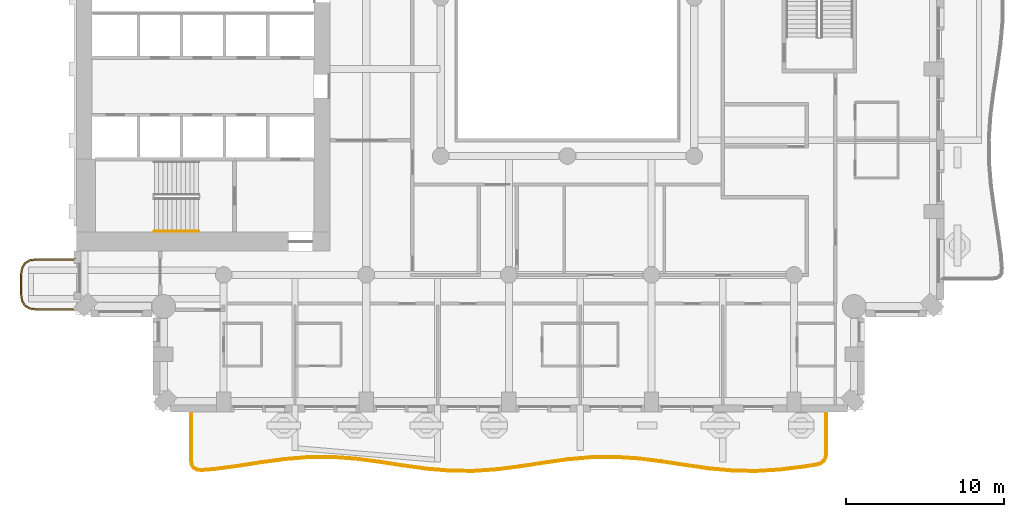
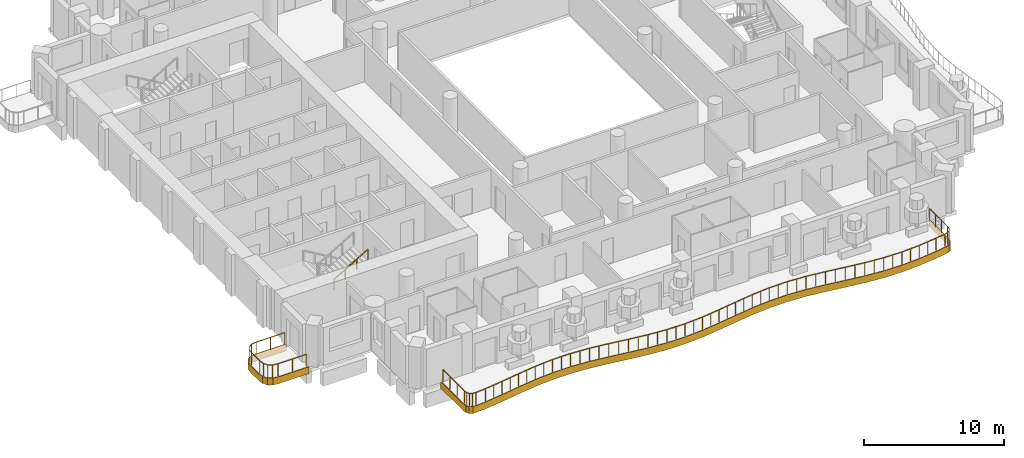
# One storey, part 13 of 20: 3 railings, 2 coverings.
"""IFC4 building model written with IfcOpenShell, lengths in metres."""

from ifc_helpers import new_model, si_unit, direction, frame, origin, origin_2d, place, context, subcontext, project, spatial, polyline, rectangle, outline, extrude, material, layer, layer_set, type_object, element, save


model = new_model("IFC4")

# Units and contexts
model_context = context("Model", 3, precision=1e-05, world=origin(), true_north=direction((0.0, 1.0)))
body_context = subcontext(model_context, "Body", "Model", "MODEL_VIEW")
ifc_project = project(units=[si_unit("LENGTHUNIT", "METRE"), si_unit("AREAUNIT", "SQUARE_METRE"), si_unit("VOLUMEUNIT", "CUBIC_METRE"), si_unit("PLANEANGLEUNIT", "RADIAN"), si_unit("MASSUNIT", "GRAM", prefix="KILO")], contexts=[model_context])

# Site, building, storey
site_placement = place(None, origin())
site = spatial("IfcSite", under=ifc_project, at=site_placement, CompositionType="ELEMENT")
building_placement = place(site_placement, origin())
building = spatial("IfcBuilding", under=site, at=building_placement, Name="Cypress Arch Tower", CompositionType="ELEMENT")
storey_placement = place(building_placement, frame((0.0, 0.0, 120.300048828125)))
storey = spatial("IfcBuildingStorey", under=building, at=storey_placement, Name="L25", CompositionType="ELEMENT", Elevation=120.300048828125)

# Coverings
ifc_material_1 = material(Name="White powder-coated aluminium fascia", Category="aluminium")
ifc_layer = layer(ifc_material_1, 0.050048828125)
ifc_layer_set = layer_set([ifc_layer], Name="Balcony fascia BF50")
covering_type = type_object("IfcCoveringType", Name="Balcony fascia BF50", PredefinedType="CLADDING", material=ifc_layer_set)
covering_1_placement = place(storey_placement, frame((0.0, 0.0, -0.60009765625)))
element("IfcCovering", 1, at=covering_1_placement, inside=storey, type_object=covering_type, Name="Balcony fascia L25-A00W1", PredefinedType="CLADDING", context=body_context, shape_type="SweptSolid", body=[
    extrude(outline(polyline([(-32.503662109375, -19.75), (-32.95458984375, -19.685546875), (-33.286376953125, -19.486328125), (-33.485595703125, -19.154541015625), (-33.550048828125, -18.70361328125), (-33.550048828125, -17.496337890625), (-33.485595703125, -17.04541015625), (-33.286376953125, -16.713623046875), (-32.95458984375, -16.514404296875), (-32.503662109375, -16.449951171875), (-30.0009765625, -16.449951171875), (-30.0009765625, -16.5), (-32.5, -16.5), (-32.9375, -16.5625), (-33.25, -16.75), (-33.4375, -17.0625), (-33.5, -17.5), (-33.5, -18.699951171875), (-33.4375, -19.137451171875), (-33.25, -19.449951171875), (-32.9375, -19.637451171875), (-32.5, -19.699951171875), (-30.0009765625, -19.699951171875), (-30.0009765625, -19.75), (-32.503662109375, -19.75)])), origin(), (0.0, 0.0, 1.0), 0.60009765625),
])
covering_2_placement = place(storey_placement, frame((0.0, 0.0, -0.60009765625)))
element("IfcCovering", 2, at=covering_2_placement, inside=storey, type_object=covering_type, Name="Balcony fascia L25-A03", PredefinedType="CLADDING", context=body_context, shape_type="SweptSolid", body=[
    extrude(outline(polyline([(17.39990234375, -28.722412109375), (17.3564453125, -29.037109375), (17.2216796875, -29.28515625), (16.9970703125, -29.4560546875), (16.692626953125, -29.546875), (15.87158203125, -29.67333984375), (14.38427734375, -29.8564453125), (12.8955078125, -29.94580078125), (11.406494140625, -29.917724609375), (9.918212890625, -29.77978515625), (8.431640625, -29.568115234375), (6.94677734375, -29.3388671875), (5.4638671875, -29.15185546875), (3.982177734375, -29.056396484375), (2.500732421875, -29.0771484375), (1.0185546875, -29.208984375), (-0.46484375, -29.4169921875), (-1.950439453125, -29.647216796875), (-3.437744140625, -29.838623046875), (-4.92626953125, -29.941162109375), (-6.415283203125, -29.92724609375), (-7.90380859375, -29.801025390625), (-9.390625, -29.595703125), (-10.875732421875, -29.365234375), (-12.35888671875, -29.170166015625), (-13.840576171875, -29.06201171875), (-15.322021484375, -29.068359375), (-16.803955078125, -29.188232421875), (-18.287353515625, -29.3896484375), (-19.7724609375, -29.620361328125), (-21.259521484375, -29.819580078125), (-22.081298828125, -29.883056640625), (-22.387939453125, -29.86279296875), (-22.6181640625, -29.7421875), (-22.756103515625, -29.52197265625), (-22.800048828125, -29.218017578125), (-22.800048828125, -26.0009765625), (-22.75, -26.0009765625), (-22.75, -29.21435546875), (-22.708251953125, -29.50439453125), (-22.5830078125, -29.7041015625), (-22.3740234375, -29.813720703125), (-22.081787109375, -29.8330078125), (-21.264892578125, -29.769775390625), (-19.779541015625, -29.571044921875), (-18.29443359375, -29.34033203125), (-16.809326171875, -29.138427734375), (-15.323974609375, -29.0185546875), (-13.8388671875, -29.011962890625), (-12.353759765625, -29.12060546875), (-10.868408203125, -29.315673828125), (-9.38330078125, -29.546142578125), (-7.898193359375, -29.751220703125), (-6.412841796875, -29.87744140625), (-4.927734375, -29.89111328125), (-3.442626953125, -29.788818359375), (-1.95751953125, -29.59765625), (-0.47216796875, -29.36767578125), (1.012939453125, -29.1591796875), (2.498046875, -29.02734375), (3.9833984375, -29.00634765625), (5.468505859375, -29.10205078125), (6.95361328125, -29.289306640625), (8.43896484375, -29.5185546875), (9.924072265625, -29.72998046875), (11.4091796875, -29.86767578125), (12.89453125, -29.895751953125), (14.379638671875, -29.806640625), (15.86474609375, -29.623779296875), (16.681640625, -29.498046875), (16.97412109375, -29.41064453125), (17.182861328125, -29.251708984375), (17.308349609375, -29.021240234375), (17.35009765625, -28.718994140625), (17.35009765625, -26.0009765625), (17.39990234375, -26.0009765625), (17.39990234375, -28.722412109375)])), origin(), (0.0, 0.0, 1.0), 0.60009765625),
])

# Railings
ifc_material_2 = material(Name="Powder-coated steel posts and rods, 100 mm clear between rods", Category="steel")
railing_type_1 = type_object("IfcRailingType", Name="Balcony guard GR1100", PredefinedType="GUARDRAIL", material=ifc_material_2)
railing_1_placement = place(storey_placement, frame((-30.14990234375, -19.64990234375, 0.0)))
element("IfcRailing", 3, at=railing_1_placement, inside=storey, type_object=railing_type_1, Name="Balcony guard L25-A00W1", PredefinedType="GUARDRAIL", context=body_context, shape_type="SweptSolid", body=[
    extrude(rectangle(XDim=0.050048828125, YDim=0.050048828125, at=origin_2d()), frame((0.0, 0.0, 1.0751953125), z_axis=(-1.0, 0.0, 0.0), x_axis=(0.0, -1.0, 0.0)), (0.0, 0.0, 1.0), 2.346435546875),
    extrude(rectangle(XDim=0.050048828125, YDim=0.050048828125, at=origin_2d()), frame((-2.346435546875, 0.0, 1.0751953125), z_axis=(-0.989960888959, 0.141341566184, 0.0), x_axis=(-0.141341566184, -0.989960888959, 0.0)), (0.0, 0.0, 1.0), 0.428466796875),
    extrude(rectangle(XDim=0.050048828125, YDim=0.050048828125, at=origin_2d()), frame((-2.7705078125, 0.060546875, 1.0751953125), z_axis=(-0.857681904839, 0.514180659021, 0.0), x_axis=(-0.514180659021, -0.857681904839, 0.0)), (0.0, 0.0, 1.0), 0.341796875),
    extrude(rectangle(XDim=0.050048828125, YDim=0.050048828125, at=origin_2d()), frame((-3.063720703125, 0.236328125, 1.0751953125), z_axis=(-0.514180659021, 0.857681904839, 0.0), x_axis=(-0.857681904839, -0.514180659021, 0.0)), (0.0, 0.0, 1.0), 0.341796875),
    extrude(rectangle(XDim=0.050048828125, YDim=0.050048828125, at=origin_2d()), frame((-3.239501953125, 0.529541015625, 1.0751953125), z_axis=(-0.141421356237, 0.989949493661, 0.0), x_axis=(-0.989949493661, -0.141421356237, 0.0)), (0.0, 0.0, 1.0), 0.42822265625),
    extrude(rectangle(XDim=0.050048828125, YDim=0.050048828125, at=origin_2d()), frame((-3.300048828125, 0.953369140625, 1.0751953125), z_axis=(0.0, 1.0, 0.0), x_axis=(-1.0, 0.0, 0.0)), (0.0, 0.0, 1.0), 1.19287109375),
    extrude(rectangle(XDim=0.050048828125, YDim=0.050048828125, at=origin_2d()), frame((-3.300048828125, 2.146240234375, 1.0751953125), z_axis=(0.141341566184, 0.989960888959, 0.0), x_axis=(-0.989960888959, 0.141341566184, 0.0)), (0.0, 0.0, 1.0), 0.428466796875),
    extrude(rectangle(XDim=0.050048828125, YDim=0.050048828125, at=origin_2d()), frame((-3.239501953125, 2.5703125, 1.0751953125), z_axis=(0.514180659021, 0.857681904839, 0.0), x_axis=(-0.857681904839, 0.514180659021, 0.0)), (0.0, 0.0, 1.0), 0.341796875),
    extrude(rectangle(XDim=0.050048828125, YDim=0.050048828125, at=origin_2d()), frame((-3.063720703125, 2.863525390625, 1.0751953125), z_axis=(0.857681904839, 0.514180659021, 0.0), x_axis=(-0.514180659021, 0.857681904839, 0.0)), (0.0, 0.0, 1.0), 0.341796875),
    extrude(rectangle(XDim=0.050048828125, YDim=0.050048828125, at=origin_2d()), frame((-2.7705078125, 3.039306640625, 1.0751953125), z_axis=(0.989960888959, 0.141341566184, 0.0), x_axis=(-0.141341566184, 0.989960888959, 0.0)), (0.0, 0.0, 1.0), 0.428466796875),
    extrude(rectangle(XDim=0.050048828125, YDim=0.050048828125, at=origin_2d()), frame((-2.346435546875, 3.099853515625, 1.0751953125), z_axis=(1.0, 0.0, 0.0), x_axis=(0.0, 1.0, 0.0)), (0.0, 0.0, 1.0), 2.346435546875),
    extrude(rectangle(XDim=0.0400390625, YDim=0.0400390625, at=origin_2d()), origin(), (0.0, 0.0, 1.0), 1.050048828125),
    extrude(rectangle(XDim=0.0400390625, YDim=0.0400390625, at=origin_2d()), frame((-1.17333984375, 0.0, 0.0)), (0.0, 0.0, 1.0), 1.050048828125),
    extrude(rectangle(XDim=0.0400390625, YDim=0.0400390625, at=origin_2d()), frame((-2.346435546875, 0.0, 0.0)), (0.0, 0.0, 1.0), 1.050048828125),
    extrude(rectangle(XDim=0.0400390625, YDim=0.0400390625, at=origin_2d()), frame((-2.7705078125, 0.060546875, 0.0)), (0.0, 0.0, 1.0), 1.050048828125),
    extrude(rectangle(XDim=0.0400390625, YDim=0.0400390625, at=origin_2d()), frame((-3.063720703125, 0.236328125, 0.0)), (0.0, 0.0, 1.0), 1.050048828125),
    extrude(rectangle(XDim=0.0400390625, YDim=0.0400390625, at=origin_2d()), frame((-3.239501953125, 0.529541015625, 0.0)), (0.0, 0.0, 1.0), 1.050048828125),
    extrude(rectangle(XDim=0.0400390625, YDim=0.0400390625, at=origin_2d()), frame((-3.300048828125, 0.953369140625, 0.0)), (0.0, 0.0, 1.0), 1.050048828125),
    extrude(rectangle(XDim=0.0400390625, YDim=0.0400390625, at=origin_2d()), frame((-3.300048828125, 2.146240234375, 0.0)), (0.0, 0.0, 1.0), 1.050048828125),
    extrude(rectangle(XDim=0.0400390625, YDim=0.0400390625, at=origin_2d()), frame((-3.239501953125, 2.5703125, 0.0)), (0.0, 0.0, 1.0), 1.050048828125),
    extrude(rectangle(XDim=0.0400390625, YDim=0.0400390625, at=origin_2d()), frame((-3.063720703125, 2.863525390625, 0.0)), (0.0, 0.0, 1.0), 1.050048828125),
    extrude(rectangle(XDim=0.0400390625, YDim=0.0400390625, at=origin_2d()), frame((-2.7705078125, 3.039306640625, 0.0)), (0.0, 0.0, 1.0), 1.050048828125),
    extrude(rectangle(XDim=0.0400390625, YDim=0.0400390625, at=origin_2d()), frame((-2.346435546875, 3.099853515625, 0.0)), (0.0, 0.0, 1.0), 1.050048828125),
    extrude(rectangle(XDim=0.0400390625, YDim=0.0400390625, at=origin_2d()), frame((-1.17333984375, 3.099853515625, 0.0)), (0.0, 0.0, 1.0), 1.050048828125),
    extrude(rectangle(XDim=0.0400390625, YDim=0.0400390625, at=origin_2d()), frame((0.0, 3.099853515625, 0.0)), (0.0, 0.0, 1.0), 1.050048828125),
])
railing_2_placement = place(storey_placement, frame((17.300048828125, -26.14990234375, 0.0)))
element("IfcRailing", 4, at=railing_2_placement, inside=storey, type_object=railing_type_1, Name="Balcony guard L25-A03", PredefinedType="GUARDRAIL", context=body_context, shape_type="SweptSolid", body=[
    extrude(rectangle(XDim=0.050048828125, YDim=0.050048828125, at=origin_2d()), frame((0.0, 0.0, 1.0751953125), z_axis=(0.0, -1.0, 0.0), x_axis=(1.0, 0.0, 0.0)), (0.0, 0.0, 1.0), 2.565673828125),
    extrude(rectangle(XDim=0.050048828125, YDim=0.050048828125, at=origin_2d()), frame((0.0, -2.565673828125, 1.0751953125), z_axis=(-0.136863311336, -0.990589942413, 0.0), x_axis=(0.990589942413, -0.136863311336, 0.0)), (0.0, 0.0, 1.0), 0.29248046875),
    extrude(rectangle(XDim=0.050048828125, YDim=0.050048828125, at=origin_2d()), frame((-0.0400390625, -2.85546875, 1.0751953125), z_axis=(-0.477935412983, -0.878394980072, 0.0), x_axis=(0.878394980072, -0.477935412983, 0.0)), (0.0, 0.0, 1.0), 0.24267578125),
    extrude(rectangle(XDim=0.050048828125, YDim=0.050048828125, at=origin_2d()), frame((-0.156005859375, -3.068603515625, 1.0751953125), z_axis=(-0.795754916062, -0.605618785676, 0.0), x_axis=(0.605618785676, -0.795754916062, 0.0)), (0.0, 0.0, 1.0), 0.24267578125),
    extrude(rectangle(XDim=0.050048828125, YDim=0.050048828125, at=origin_2d()), frame((-0.34912109375, -3.215576171875, 1.0751953125), z_axis=(-0.958147283217, -0.286275712668, 0.0), x_axis=(0.286275712668, -0.958147283217, 0.0)), (0.0, 0.0, 1.0), 0.29248046875),
    extrude(rectangle(XDim=0.050048828125, YDim=0.050048828125, at=origin_2d()), frame((-0.62939453125, -3.29931640625, 1.0751953125), z_axis=(-0.988378561373, -0.152012563359, 0.0), x_axis=(0.152012563359, -0.988378561373, 0.0)), (0.0, 0.0, 1.0), 0.822265625),
    extrude(rectangle(XDim=0.050048828125, YDim=0.050048828125, at=origin_2d()), frame((-1.442138671875, -3.42431640625, 1.0751953125), z_axis=(-0.992502474567, -0.12222453918, 0.0), x_axis=(0.12222453918, -0.992502474567, 0.0)), (0.0, 0.0, 1.0), 1.494140625),
    extrude(rectangle(XDim=0.050048828125, YDim=0.050048828125, at=origin_2d()), frame((-2.925048828125, -3.60693359375, 1.0751953125), z_axis=(-0.998206221846, -0.059869346639, 0.0), x_axis=(0.059869346639, -0.998206221846, 0.0)), (0.0, 0.0, 1.0), 1.484375),
    extrude(rectangle(XDim=0.050048828125, YDim=0.050048828125, at=origin_2d()), frame((-4.40673828125, -3.69580078125, 1.0751953125), z_axis=(-0.999823511369, 0.018786860111, 0.0), x_axis=(-0.018786860111, -0.999823511369, 0.0)), (0.0, 0.0, 1.0), 1.4814453125),
    extrude(rectangle(XDim=0.050048828125, YDim=0.050048828125, at=origin_2d()), frame((-5.887939453125, -3.66796875, 1.0751953125), z_axis=(-0.99572755851, 0.092339748878, 0.0), x_axis=(-0.092339748878, -0.99572755851, 0.0)), (0.0, 0.0, 1.0), 1.488525390625),
    extrude(rectangle(XDim=0.050048828125, YDim=0.050048828125, at=origin_2d()), frame((-7.3701171875, -3.530517578125, 1.0751953125), z_axis=(-0.990021048125, 0.140919566666, 0.0), x_axis=(-0.140919566666, -0.990021048125, 0.0)), (0.0, 0.0, 1.0), 1.49853515625),
    extrude(rectangle(XDim=0.050048828125, YDim=0.050048828125, at=origin_2d()), frame((-8.853759765625, -3.3193359375, 1.0751953125), z_axis=(-0.98827762945, 0.152667374147, 0.0), x_axis=(-0.152667374147, -0.98827762945, 0.0)), (0.0, 0.0, 1.0), 1.503173828125),
    extrude(rectangle(XDim=0.050048828125, YDim=0.050048828125, at=origin_2d()), frame((-10.33935546875, -3.08984375, 1.0751953125), z_axis=(-0.992149587983, 0.125056767368, 0.0), x_axis=(-0.125056767368, -0.992149587983, 0.0)), (0.0, 0.0, 1.0), 1.499267578125),
    extrude(rectangle(XDim=0.050048828125, YDim=0.050048828125, at=origin_2d()), frame((-11.826904296875, -2.90234375, 1.0751953125), z_axis=(-0.997929038753, 0.064324440254, 0.0), x_axis=(-0.064324440254, -0.997929038753, 0.0)), (0.0, 0.0, 1.0), 1.49169921875),
    extrude(rectangle(XDim=0.050048828125, YDim=0.050048828125, at=origin_2d()), frame((-13.3154296875, -2.806396484375, 1.0751953125), z_axis=(-0.999900600344, -0.014099270639, 0.0), x_axis=(0.014099270639, -0.999900600344, 0.0)), (0.0, 0.0, 1.0), 1.4892578125),
    extrude(rectangle(XDim=0.050048828125, YDim=0.050048828125, at=origin_2d()), frame((-14.804443359375, -2.827392578125, 1.0751953125), z_axis=(-0.996070719077, -0.088561405797, 0.0), x_axis=(0.088561405797, -0.996070719077, 0.0)), (0.0, 0.0, 1.0), 1.494140625),
    extrude(rectangle(XDim=0.050048828125, YDim=0.050048828125, at=origin_2d()), frame((-16.292724609375, -2.959716796875, 1.0751953125), z_axis=(-0.990310462127, -0.138871122275, 0.0), x_axis=(0.138871122275, -0.990310462127, 0.0)), (0.0, 0.0, 1.0), 1.50146484375),
    extrude(rectangle(XDim=0.050048828125, YDim=0.050048828125, at=origin_2d()), frame((-17.779541015625, -3.168212890625, 1.0751953125), z_axis=(-0.988217161128, -0.153058297564, 0.0), x_axis=(0.153058297564, -0.988217161128, 0.0)), (0.0, 0.0, 1.0), 1.502685546875),
    extrude(rectangle(XDim=0.050048828125, YDim=0.050048828125, at=origin_2d()), frame((-19.264404296875, -3.398193359375, 1.0751953125), z_axis=(-0.991816589579, -0.127670876222, 0.0), x_axis=(0.127670876222, -0.991816589579, 0.0)), (0.0, 0.0, 1.0), 1.495361328125),
    extrude(rectangle(XDim=0.050048828125, YDim=0.050048828125, at=origin_2d()), frame((-20.74755859375, -3.589111328125, 1.0751953125), z_axis=(-0.99763654947, -0.068711826937, 0.0), x_axis=(0.068711826937, -0.99763654947, 0.0)), (0.0, 0.0, 1.0), 1.485107421875),
    extrude(rectangle(XDim=0.050048828125, YDim=0.050048828125, at=origin_2d()), frame((-22.229248046875, -3.691162109375, 1.0751953125), z_axis=(-0.99995741789, 0.009228347957, 0.0), x_axis=(-0.009228347957, -0.99995741789, 0.0)), (0.0, 0.0, 1.0), 1.4814453125),
    extrude(rectangle(XDim=0.050048828125, YDim=0.050048828125, at=origin_2d()), frame((-23.710693359375, -3.677490234375, 1.0751953125), z_axis=(-0.996420106509, 0.08453976192, 0.0), x_axis=(-0.08453976192, -0.996420106509, 0.0)), (0.0, 0.0, 1.0), 1.4873046875),
    extrude(rectangle(XDim=0.050048828125, YDim=0.050048828125, at=origin_2d()), frame((-25.192626953125, -3.5517578125, 1.0751953125), z_axis=(-0.990578468442, 0.136946332043, 0.0), x_axis=(-0.136946332043, -0.990578468442, 0.0)), (0.0, 0.0, 1.0), 1.49755859375),
    extrude(rectangle(XDim=0.050048828125, YDim=0.050048828125, at=origin_2d()), frame((-26.676025390625, -3.3466796875, 1.0751953125), z_axis=(-0.988175600597, 0.153326391677, 0.0), x_axis=(-0.153326391677, -0.988175600597, 0.0)), (0.0, 0.0, 1.0), 1.503173828125),
    extrude(rectangle(XDim=0.050048828125, YDim=0.050048828125, at=origin_2d()), frame((-28.161376953125, -3.1162109375, 1.0751953125), z_axis=(-0.991487500745, 0.130201904234, 0.0), x_axis=(-0.130201904234, -0.991487500745, 0.0)), (0.0, 0.0, 1.0), 1.5),
    extrude(rectangle(XDim=0.050048828125, YDim=0.050048828125, at=origin_2d()), frame((-29.648681640625, -2.9208984375, 1.0751953125), z_axis=(-0.99733517527, 0.072955795993, 0.0), x_axis=(-0.072955795993, -0.99733517527, 0.0)), (0.0, 0.0, 1.0), 1.492431640625),
    extrude(rectangle(XDim=0.050048828125, YDim=0.050048828125, at=origin_2d()), frame((-31.13720703125, -2.81201171875, 1.0751953125), z_axis=(-0.999990201178, -0.00442691186, 0.0), x_axis=(0.00442691186, -0.999990201178, 0.0)), (0.0, 0.0, 1.0), 1.489013671875),
    extrude(rectangle(XDim=0.050048828125, YDim=0.050048828125, at=origin_2d()), frame((-32.626220703125, -2.818603515625, 1.0751953125), z_axis=(-0.996759939567, -0.080433965929, 0.0), x_axis=(0.080433965929, -0.996759939567, 0.0)), (0.0, 0.0, 1.0), 1.493408203125),
    extrude(rectangle(XDim=0.050048828125, YDim=0.050048828125, at=origin_2d()), frame((-34.11474609375, -2.938720703125, 1.0751953125), z_axis=(-0.99088650832, -0.134699397289, 0.0), x_axis=(0.134699397289, -0.99088650832, 0.0)), (0.0, 0.0, 1.0), 1.500732421875),
    extrude(rectangle(XDim=0.050048828125, YDim=0.050048828125, at=origin_2d()), frame((-35.601806640625, -3.140869140625, 1.0751953125), z_axis=(-0.988147152264, -0.153509626646, 0.0), x_axis=(0.153509626646, -0.988147152264, 0.0)), (0.0, 0.0, 1.0), 1.5029296875),
    extrude(rectangle(XDim=0.050048828125, YDim=0.050048828125, at=origin_2d()), frame((-37.0869140625, -3.37158203125, 1.0751953125), z_axis=(-0.991142199329, -0.132804897161, 0.0), x_axis=(0.132804897161, -0.991142199329, 0.0)), (0.0, 0.0, 1.0), 1.496337890625),
    extrude(rectangle(XDim=0.050048828125, YDim=0.050048828125, at=origin_2d()), frame((-38.570068359375, -3.5703125, 1.0751953125), z_axis=(-0.997027976103, -0.077040345718, 0.0), x_axis=(0.077040345718, -0.997027976103, 0.0)), (0.0, 0.0, 1.0), 0.814453125),
    extrude(rectangle(XDim=0.050048828125, YDim=0.050048828125, at=origin_2d()), frame((-39.382080078125, -3.633056640625, 1.0751953125), z_axis=(-0.997781279989, 0.066577153011, 0.0), x_axis=(-0.066577153011, -0.997781279989, 0.0)), (0.0, 0.0, 1.0), 0.27880859375),
    extrude(rectangle(XDim=0.050048828125, YDim=0.050048828125, at=origin_2d()), frame((-39.66015625, -3.614501953125, 1.0751953125), z_axis=(-0.886214690875, 0.463274779885, 0.0), x_axis=(-0.463274779885, -0.886214690875, 0.0)), (0.0, 0.0, 1.0), 0.2119140625),
    extrude(rectangle(XDim=0.050048828125, YDim=0.050048828125, at=origin_2d()), frame((-39.847900390625, -3.516357421875, 1.0751953125), z_axis=(-0.530517177268, 0.847674185418, 0.0), x_axis=(-0.847674185418, -0.530517177268, 0.0)), (0.0, 0.0, 1.0), 0.211669921875),
    extrude(rectangle(XDim=0.050048828125, YDim=0.050048828125, at=origin_2d()), frame((-39.960205078125, -3.3369140625, 1.0751953125), z_axis=(-0.142646432008, 0.989773709206, 0.0), x_axis=(-0.989773709206, -0.142646432008, 0.0)), (0.0, 0.0, 1.0), 0.279052734375),
    extrude(rectangle(XDim=0.050048828125, YDim=0.050048828125, at=origin_2d()), frame((-40.0, -3.060791015625, 1.0751953125), z_axis=(0.0, 1.0, 0.0), x_axis=(-1.0, 0.0, 0.0)), (0.0, 0.0, 1.0), 3.060791015625),
    extrude(rectangle(XDim=0.0400390625, YDim=0.0400390625, at=origin_2d()), origin(), (0.0, 0.0, 1.0), 1.050048828125),
    extrude(rectangle(XDim=0.0400390625, YDim=0.0400390625, at=origin_2d()), frame((0.0, -0.855224609375, 0.0)), (0.0, 0.0, 1.0), 1.050048828125),
    extrude(rectangle(XDim=0.0400390625, YDim=0.0400390625, at=origin_2d()), frame((0.0, -1.71044921875, 0.0)), (0.0, 0.0, 1.0), 1.050048828125),
    extrude(rectangle(XDim=0.0400390625, YDim=0.0400390625, at=origin_2d()), frame((0.0, -2.565673828125, 0.0)), (0.0, 0.0, 1.0), 1.050048828125),
    extrude(rectangle(XDim=0.0400390625, YDim=0.0400390625, at=origin_2d()), frame((-0.0400390625, -2.85546875, 0.0)), (0.0, 0.0, 1.0), 1.050048828125),
    extrude(rectangle(XDim=0.0400390625, YDim=0.0400390625, at=origin_2d()), frame((-0.156005859375, -3.068603515625, 0.0)), (0.0, 0.0, 1.0), 1.050048828125),
    extrude(rectangle(XDim=0.0400390625, YDim=0.0400390625, at=origin_2d()), frame((-0.34912109375, -3.215576171875, 0.0)), (0.0, 0.0, 1.0), 1.050048828125),
    extrude(rectangle(XDim=0.0400390625, YDim=0.0400390625, at=origin_2d()), frame((-0.62939453125, -3.29931640625, 0.0)), (0.0, 0.0, 1.0), 1.050048828125),
    extrude(rectangle(XDim=0.0400390625, YDim=0.0400390625, at=origin_2d()), frame((-1.442138671875, -3.42431640625, 0.0)), (0.0, 0.0, 1.0), 1.050048828125),
    extrude(rectangle(XDim=0.0400390625, YDim=0.0400390625, at=origin_2d()), frame((-2.18359375, -3.515625, 0.0)), (0.0, 0.0, 1.0), 1.050048828125),
    extrude(rectangle(XDim=0.0400390625, YDim=0.0400390625, at=origin_2d()), frame((-2.925048828125, -3.60693359375, 0.0)), (0.0, 0.0, 1.0), 1.050048828125),
    extrude(rectangle(XDim=0.0400390625, YDim=0.0400390625, at=origin_2d()), frame((-3.666015625, -3.6513671875, 0.0)), (0.0, 0.0, 1.0), 1.050048828125),
    extrude(rectangle(XDim=0.0400390625, YDim=0.0400390625, at=origin_2d()), frame((-4.40673828125, -3.69580078125, 0.0)), (0.0, 0.0, 1.0), 1.050048828125),
    extrude(rectangle(XDim=0.0400390625, YDim=0.0400390625, at=origin_2d()), frame((-5.1474609375, -3.681884765625, 0.0)), (0.0, 0.0, 1.0), 1.050048828125),
    extrude(rectangle(XDim=0.0400390625, YDim=0.0400390625, at=origin_2d()), frame((-5.887939453125, -3.66796875, 0.0)), (0.0, 0.0, 1.0), 1.050048828125),
    extrude(rectangle(XDim=0.0400390625, YDim=0.0400390625, at=origin_2d()), frame((-6.62890625, -3.59912109375, 0.0)), (0.0, 0.0, 1.0), 1.050048828125),
    extrude(rectangle(XDim=0.0400390625, YDim=0.0400390625, at=origin_2d()), frame((-7.3701171875, -3.530517578125, 0.0)), (0.0, 0.0, 1.0), 1.050048828125),
    extrude(rectangle(XDim=0.0400390625, YDim=0.0400390625, at=origin_2d()), frame((-8.11181640625, -3.4248046875, 0.0)), (0.0, 0.0, 1.0), 1.050048828125),
    extrude(rectangle(XDim=0.0400390625, YDim=0.0400390625, at=origin_2d()), frame((-8.853759765625, -3.3193359375, 0.0)), (0.0, 0.0, 1.0), 1.050048828125),
    extrude(rectangle(XDim=0.0400390625, YDim=0.0400390625, at=origin_2d()), frame((-9.5966796875, -3.20458984375, 0.0)), (0.0, 0.0, 1.0), 1.050048828125),
    extrude(rectangle(XDim=0.0400390625, YDim=0.0400390625, at=origin_2d()), frame((-10.33935546875, -3.08984375, 0.0)), (0.0, 0.0, 1.0), 1.050048828125),
    extrude(rectangle(XDim=0.0400390625, YDim=0.0400390625, at=origin_2d()), frame((-11.0830078125, -2.99609375, 0.0)), (0.0, 0.0, 1.0), 1.050048828125),
    extrude(rectangle(XDim=0.0400390625, YDim=0.0400390625, at=origin_2d()), frame((-11.826904296875, -2.90234375, 0.0)), (0.0, 0.0, 1.0), 1.050048828125),
    extrude(rectangle(XDim=0.0400390625, YDim=0.0400390625, at=origin_2d()), frame((-12.5712890625, -2.8544921875, 0.0)), (0.0, 0.0, 1.0), 1.050048828125),
    extrude(rectangle(XDim=0.0400390625, YDim=0.0400390625, at=origin_2d()), frame((-13.3154296875, -2.806396484375, 0.0)), (0.0, 0.0, 1.0), 1.050048828125),
    extrude(rectangle(XDim=0.0400390625, YDim=0.0400390625, at=origin_2d()), frame((-14.06005859375, -2.81689453125, 0.0)), (0.0, 0.0, 1.0), 1.050048828125),
    extrude(rectangle(XDim=0.0400390625, YDim=0.0400390625, at=origin_2d()), frame((-14.804443359375, -2.827392578125, 0.0)), (0.0, 0.0, 1.0), 1.050048828125),
    extrude(rectangle(XDim=0.0400390625, YDim=0.0400390625, at=origin_2d()), frame((-15.548583984375, -2.8935546875, 0.0)), (0.0, 0.0, 1.0), 1.050048828125),
    extrude(rectangle(XDim=0.0400390625, YDim=0.0400390625, at=origin_2d()), frame((-16.292724609375, -2.959716796875, 0.0)), (0.0, 0.0, 1.0), 1.050048828125),
    extrude(rectangle(XDim=0.0400390625, YDim=0.0400390625, at=origin_2d()), frame((-17.0361328125, -3.06396484375, 0.0)), (0.0, 0.0, 1.0), 1.050048828125),
    extrude(rectangle(XDim=0.0400390625, YDim=0.0400390625, at=origin_2d()), frame((-17.779541015625, -3.168212890625, 0.0)), (0.0, 0.0, 1.0), 1.050048828125),
    extrude(rectangle(XDim=0.0400390625, YDim=0.0400390625, at=origin_2d()), frame((-18.52197265625, -3.283203125, 0.0)), (0.0, 0.0, 1.0), 1.050048828125),
    extrude(rectangle(XDim=0.0400390625, YDim=0.0400390625, at=origin_2d()), frame((-19.264404296875, -3.398193359375, 0.0)), (0.0, 0.0, 1.0), 1.050048828125),
    extrude(rectangle(XDim=0.0400390625, YDim=0.0400390625, at=origin_2d()), frame((-20.005859375, -3.49365234375, 0.0)), (0.0, 0.0, 1.0), 1.050048828125),
    extrude(rectangle(XDim=0.0400390625, YDim=0.0400390625, at=origin_2d()), frame((-20.74755859375, -3.589111328125, 0.0)), (0.0, 0.0, 1.0), 1.050048828125),
    extrude(rectangle(XDim=0.0400390625, YDim=0.0400390625, at=origin_2d()), frame((-21.48828125, -3.64013671875, 0.0)), (0.0, 0.0, 1.0), 1.050048828125),
    extrude(rectangle(XDim=0.0400390625, YDim=0.0400390625, at=origin_2d()), frame((-22.229248046875, -3.691162109375, 0.0)), (0.0, 0.0, 1.0), 1.050048828125),
    extrude(rectangle(XDim=0.0400390625, YDim=0.0400390625, at=origin_2d()), frame((-22.969970703125, -3.684326171875, 0.0)), (0.0, 0.0, 1.0), 1.050048828125),
    extrude(rectangle(XDim=0.0400390625, YDim=0.0400390625, at=origin_2d()), frame((-23.710693359375, -3.677490234375, 0.0)), (0.0, 0.0, 1.0), 1.050048828125),
    extrude(rectangle(XDim=0.0400390625, YDim=0.0400390625, at=origin_2d()), frame((-24.45166015625, -3.61474609375, 0.0)), (0.0, 0.0, 1.0), 1.050048828125),
    extrude(rectangle(XDim=0.0400390625, YDim=0.0400390625, at=origin_2d()), frame((-25.192626953125, -3.5517578125, 0.0)), (0.0, 0.0, 1.0), 1.050048828125),
    extrude(rectangle(XDim=0.0400390625, YDim=0.0400390625, at=origin_2d()), frame((-25.934326171875, -3.44921875, 0.0)), (0.0, 0.0, 1.0), 1.050048828125),
    extrude(rectangle(XDim=0.0400390625, YDim=0.0400390625, at=origin_2d()), frame((-26.676025390625, -3.3466796875, 0.0)), (0.0, 0.0, 1.0), 1.050048828125),
    extrude(rectangle(XDim=0.0400390625, YDim=0.0400390625, at=origin_2d()), frame((-27.418701171875, -3.2314453125, 0.0)), (0.0, 0.0, 1.0), 1.050048828125),
    extrude(rectangle(XDim=0.0400390625, YDim=0.0400390625, at=origin_2d()), frame((-28.161376953125, -3.1162109375, 0.0)), (0.0, 0.0, 1.0), 1.050048828125),
    extrude(rectangle(XDim=0.0400390625, YDim=0.0400390625, at=origin_2d()), frame((-28.905029296875, -3.0185546875, 0.0)), (0.0, 0.0, 1.0), 1.050048828125),
    extrude(rectangle(XDim=0.0400390625, YDim=0.0400390625, at=origin_2d()), frame((-29.648681640625, -2.9208984375, 0.0)), (0.0, 0.0, 1.0), 1.050048828125),
    extrude(rectangle(XDim=0.0400390625, YDim=0.0400390625, at=origin_2d()), frame((-30.39306640625, -2.866455078125, 0.0)), (0.0, 0.0, 1.0), 1.050048828125),
    extrude(rectangle(XDim=0.0400390625, YDim=0.0400390625, at=origin_2d()), frame((-31.13720703125, -2.81201171875, 0.0)), (0.0, 0.0, 1.0), 1.050048828125),
    extrude(rectangle(XDim=0.0400390625, YDim=0.0400390625, at=origin_2d()), frame((-31.8818359375, -2.8154296875, 0.0)), (0.0, 0.0, 1.0), 1.050048828125),
    extrude(rectangle(XDim=0.0400390625, YDim=0.0400390625, at=origin_2d()), frame((-32.626220703125, -2.818603515625, 0.0)), (0.0, 0.0, 1.0), 1.050048828125),
    extrude(rectangle(XDim=0.0400390625, YDim=0.0400390625, at=origin_2d()), frame((-33.37060546875, -2.878662109375, 0.0)), (0.0, 0.0, 1.0), 1.050048828125),
    extrude(rectangle(XDim=0.0400390625, YDim=0.0400390625, at=origin_2d()), frame((-34.11474609375, -2.938720703125, 0.0)), (0.0, 0.0, 1.0), 1.050048828125),
    extrude(rectangle(XDim=0.0400390625, YDim=0.0400390625, at=origin_2d()), frame((-34.8583984375, -3.039794921875, 0.0)), (0.0, 0.0, 1.0), 1.050048828125),
    extrude(rectangle(XDim=0.0400390625, YDim=0.0400390625, at=origin_2d()), frame((-35.601806640625, -3.140869140625, 0.0)), (0.0, 0.0, 1.0), 1.050048828125),
    extrude(rectangle(XDim=0.0400390625, YDim=0.0400390625, at=origin_2d()), frame((-36.34423828125, -3.25634765625, 0.0)), (0.0, 0.0, 1.0), 1.050048828125),
    extrude(rectangle(XDim=0.0400390625, YDim=0.0400390625, at=origin_2d()), frame((-37.0869140625, -3.37158203125, 0.0)), (0.0, 0.0, 1.0), 1.050048828125),
    extrude(rectangle(XDim=0.0400390625, YDim=0.0400390625, at=origin_2d()), frame((-37.82861328125, -3.470947265625, 0.0)), (0.0, 0.0, 1.0), 1.050048828125),
    extrude(rectangle(XDim=0.0400390625, YDim=0.0400390625, at=origin_2d()), frame((-38.570068359375, -3.5703125, 0.0)), (0.0, 0.0, 1.0), 1.050048828125),
    extrude(rectangle(XDim=0.0400390625, YDim=0.0400390625, at=origin_2d()), frame((-39.382080078125, -3.633056640625, 0.0)), (0.0, 0.0, 1.0), 1.050048828125),
    extrude(rectangle(XDim=0.0400390625, YDim=0.0400390625, at=origin_2d()), frame((-39.66015625, -3.614501953125, 0.0)), (0.0, 0.0, 1.0), 1.050048828125),
    extrude(rectangle(XDim=0.0400390625, YDim=0.0400390625, at=origin_2d()), frame((-39.847900390625, -3.516357421875, 0.0)), (0.0, 0.0, 1.0), 1.050048828125),
    extrude(rectangle(XDim=0.0400390625, YDim=0.0400390625, at=origin_2d()), frame((-39.960205078125, -3.3369140625, 0.0)), (0.0, 0.0, 1.0), 1.050048828125),
    extrude(rectangle(XDim=0.0400390625, YDim=0.0400390625, at=origin_2d()), frame((-40.0, -3.060791015625, 0.0)), (0.0, 0.0, 1.0), 1.050048828125),
    extrude(rectangle(XDim=0.0400390625, YDim=0.0400390625, at=origin_2d()), frame((-40.0, -2.04052734375, 0.0)), (0.0, 0.0, 1.0), 1.050048828125),
    extrude(rectangle(XDim=0.0400390625, YDim=0.0400390625, at=origin_2d()), frame((-40.0, -1.020263671875, 0.0)), (0.0, 0.0, 1.0), 1.050048828125),
    extrude(rectangle(XDim=0.0400390625, YDim=0.0400390625, at=origin_2d()), frame((-40.0, 0.0, 0.0)), (0.0, 0.0, 1.0), 1.050048828125),
])
ifc_material_3 = material(Name="Black powder-coated steel square bar 48 mm", Category="steel")
railing_type_2 = type_object("IfcRailingType", Name="Stair handrail HR1", PredefinedType="HANDRAIL", material=ifc_material_3)
railing_3_placement = place(storey_placement, frame((-25.074951171875, -14.75, 1.963623046875)))
element("IfcRailing", 5, at=railing_3_placement, inside=storey, type_object=railing_type_2, Name="L25 A stair handrail 2", PredefinedType="HANDRAIL", context=body_context, shape_type="SweptSolid", body=[
    extrude(rectangle(XDim=0.048095703125, YDim=0.048095703125, at=origin_2d()), frame((0.0, 0.0, 0.8759765625), z_axis=(0.863393664356, 0.0, 0.504530851732), x_axis=(0.0, 1.0, 0.0)), (0.0, 0.0, 1.0), 3.2431640625),
    extrude(rectangle(XDim=0.0419921875, YDim=0.0419921875, at=origin_2d()), origin(), (0.0, 0.0, 1.0), 0.851806640625),
    extrude(rectangle(XDim=0.0419921875, YDim=0.0419921875, at=origin_2d()), frame((0.933349609375, 0.0, 0.54541015625)), (0.0, 0.0, 1.0), 0.851806640625),
    extrude(rectangle(XDim=0.0419921875, YDim=0.0419921875, at=origin_2d()), frame((1.86669921875, 0.0, 1.0908203125)), (0.0, 0.0, 1.0), 0.851806640625),
    extrude(rectangle(XDim=0.0419921875, YDim=0.0419921875, at=origin_2d()), frame((2.800048828125, 0.0, 1.63623046875)), (0.0, 0.0, 1.0), 0.851806640625),
])

save(model, "model.ifc")
